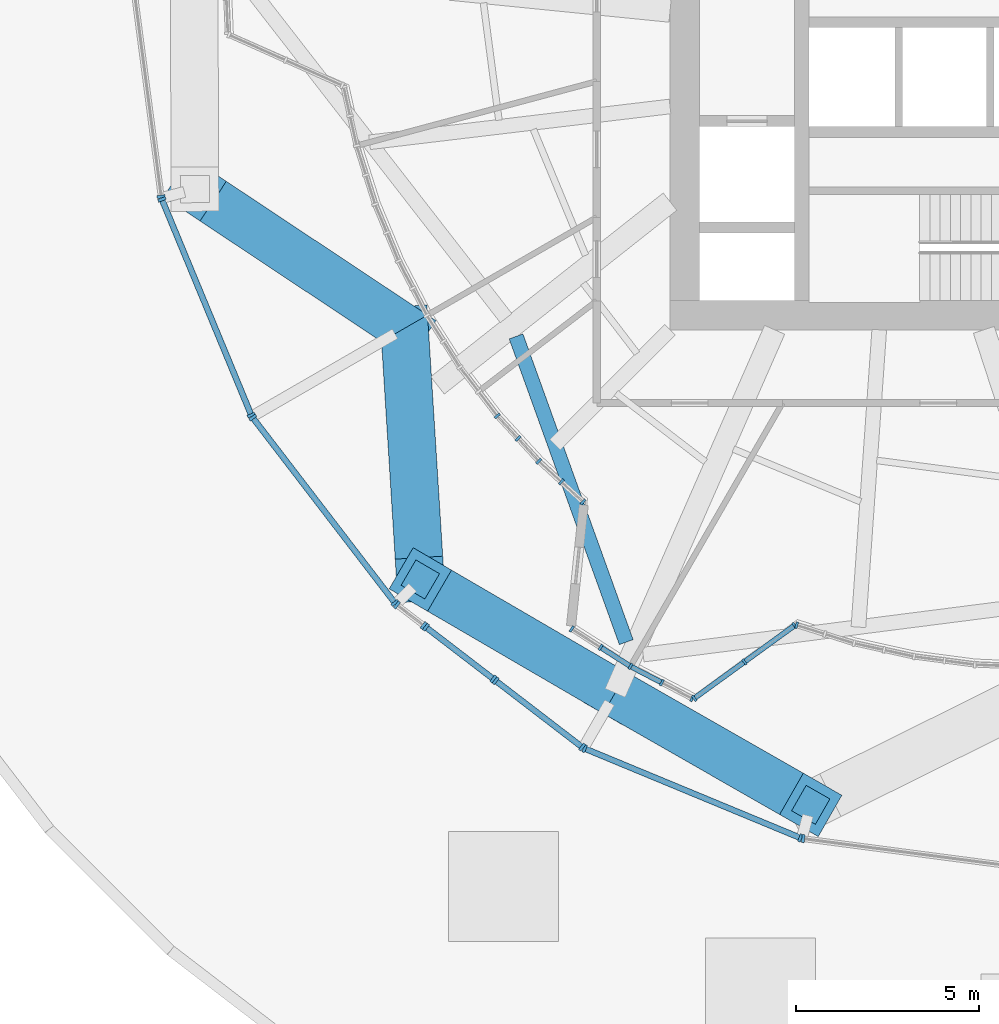
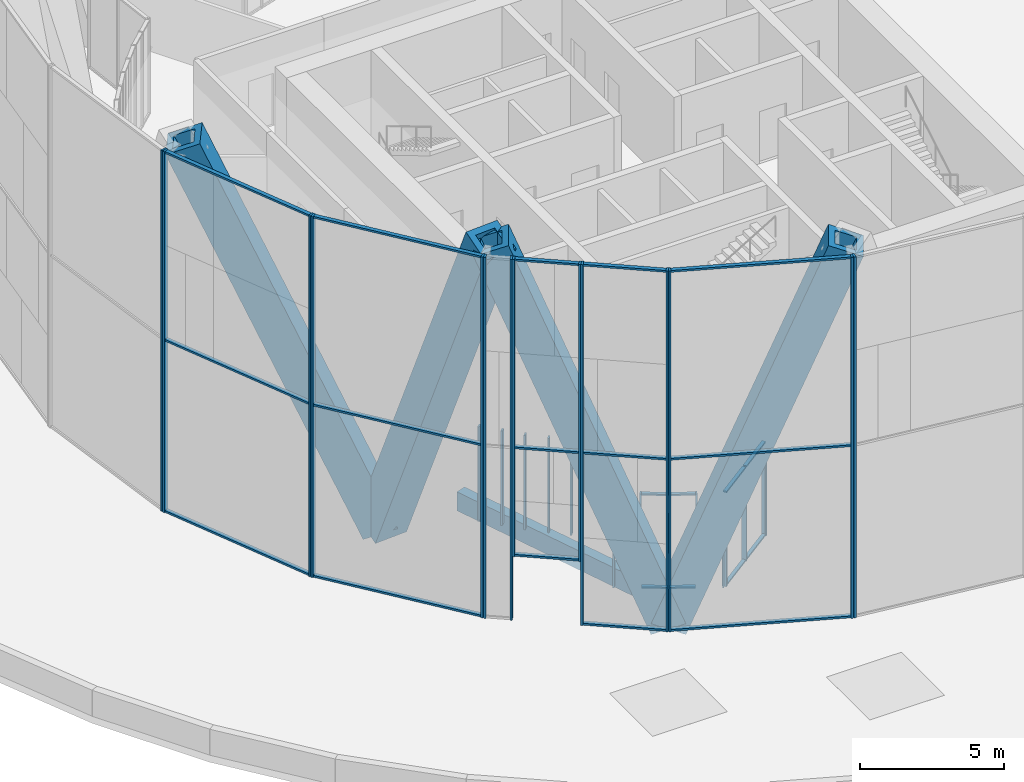
# One storey, part 1 of 27: 55 members, 1 beam, 15 elements without a shape of their own.
"""IFC4 building model written with IfcOpenShell, lengths in metres."""

from ifc_helpers import new_model, si_unit, direction, frame, origin, origin_2d, place, context, subcontext, project, spatial, rectangle, hollow_rectangle, extrude, material, material_profile, profile_set, type_object, element, aggregate, save


model = new_model("IFC4")

# Units and contexts
model_context = context("Model", 3, precision=1e-05, world=origin(), true_north=direction((0.0, 1.0)))
body_context = subcontext(model_context, "Body", "Model", "MODEL_VIEW")
ifc_project = project(units=[si_unit("LENGTHUNIT", "METRE"), si_unit("AREAUNIT", "SQUARE_METRE"), si_unit("VOLUMEUNIT", "CUBIC_METRE"), si_unit("PLANEANGLEUNIT", "RADIAN"), si_unit("MASSUNIT", "GRAM", prefix="KILO")], contexts=[model_context])

# Site, building, storey
site_placement = place(None, origin())
site = spatial("IfcSite", under=ifc_project, at=site_placement, CompositionType="ELEMENT")
building_placement = place(site_placement, origin())
building = spatial("IfcBuilding", under=site, at=building_placement, Name="Golbaran Civic Tower", CompositionType="ELEMENT")
storey_placement = place(building_placement, frame((0.0, 0.0, 21.0)))
storey = spatial("IfcBuildingStorey", under=building, at=storey_placement, Name="L04", CompositionType="ELEMENT", Elevation=21.0)

# Members
ifc_material_1 = material(Name="Steel S355", Category="steel")
ifc_material_profile_1 = material_profile(ifc_material_1, hollow_rectangle(XDim=1.300048828125, YDim=1.300048828125, WallThickness=0.25, at=origin_2d()), Name="BOX 1300x1300x250")
ifc_profile_set_1 = profile_set([ifc_material_profile_1], Name="Steel S355")
member_type_1 = type_object("IfcMemberType", Name="DIAGRID DIAGONAL BOX 1300x1300x250", PredefinedType="BRACE", material=ifc_profile_set_1)
member_1_placement = place(storey_placement, frame((-17.25, -9.959228515625, -0.7099609375), z_axis=(0.024773388533, -0.393906691689, 0.918816520021), x_axis=(0.998028176188, 0.06276750382, 0.0)))
element("IfcMember", 1, at=member_1_placement, inside=storey, type_object=member_type_1, Name="Diagonal D00-07R L04-L08", PredefinedType="BRACE", context=body_context, shape_type="SweptSolid", body=[
    extrude(hollow_rectangle(XDim=1.300048828125, YDim=1.300048828125, WallThickness=0.25, at=origin_2d()), origin(), (0.0, 0.0, 1.0), 17.413818359375),
])
member_2_placement = place(storey_placement, frame((-17.25, -9.959228515625, -0.7099609375), z_axis=(-0.328742402608, 0.218404518417, 0.918818752019), x_axis=(-0.55337148994, -0.832934567731, 0.0)))
element("IfcMember", 2, at=member_2_placement, inside=storey, type_object=member_type_1, Name="Diagonal D00-07L L04-L08", PredefinedType="BRACE", context=body_context, shape_type="SweptSolid", body=[
    extrude(hollow_rectangle(XDim=1.300048828125, YDim=1.300048828125, WallThickness=0.25, at=origin_2d()), origin(), (0.0, 0.0, 1.0), 17.41357421875),
])
member_3_placement = place(storey_placement, frame((-11.5, -19.918701171875, -0.7099609375), z_axis=(0.311722757157, -0.178255459424, 0.933302691444), x_axis=(0.496407983578, 0.868089346692, 0.0)))
element("IfcMember", 3, at=member_3_placement, inside=storey, type_object=member_type_1, Name="Diagonal D00-08R L04-L08", PredefinedType="BRACE", context=body_context, shape_type="SweptSolid", body=[
    extrude(hollow_rectangle(XDim=1.300048828125, YDim=1.300048828125, WallThickness=0.25, at=origin_2d()), origin(), (0.0, 0.0, 1.0), 17.143310546875),
])
member_4_placement = place(storey_placement, frame((-11.5, -19.918701171875, -0.7099609375), z_axis=(-0.310240999573, 0.180832692797, 0.933300626486), x_axis=(-0.503577568182, -0.86395001755, 0.0)))
element("IfcMember", 4, at=member_4_placement, inside=storey, type_object=member_type_1, Name="Diagonal D00-08L L04-L08", PredefinedType="BRACE", context=body_context, shape_type="SweptSolid", body=[
    extrude(hollow_rectangle(XDim=1.300048828125, YDim=1.300048828125, WallThickness=0.25, at=origin_2d()), origin(), (0.0, 0.0, 1.0), 17.1435546875),
])

# Beam
ifc_material_profile_2 = material_profile(ifc_material_1, hollow_rectangle(XDim=0.39990234375, YDim=0.800048828125, WallThickness=0.0400390625, at=origin_2d()), Name="BOX 800x400x40")
ifc_profile_set_2 = profile_set([ifc_material_profile_2], Name="Steel S355")
beam_type = type_object("IfcBeamType", Name="EDGE BEAM BOX 800x400x40", PredefinedType="BEAM", material=ifc_profile_set_2)
beam_placement = place(storey_placement, frame((-14.205078125, -10.18017578125, -0.60009765625), z_axis=(0.339060370544, -0.94076461728, 0.0), x_axis=(0.94076461728, 0.339060370544, 0.0)))
element("IfcBeam", 5, at=beam_placement, inside=storey, type_object=beam_type, Name="Edge beam 210.00 L04", PredefinedType="BEAM", context=body_context, shape_type="SweptSolid", body=[
    extrude(hollow_rectangle(XDim=0.39990234375, YDim=0.800048828125, WallThickness=0.0400390625, at=origin_2d()), origin(), (0.0, 0.0, 1.0), 8.875244140625),
])

# Curtain wall, member
ifc_material_2 = material(Name="Aluminium and glass", Category="aluminium")
curtain_wall_type_1 = type_object("IfcCurtainWallType", Name="INNER SKIN CURTAIN WALL", PredefinedType="NOTDEFINED", material=ifc_material_2)
curtain_wall_1_placement = place(storey_placement, origin())
curtain_wall_1 = element("IfcCurtainWall", 6, at=curtain_wall_1_placement, inside=storey, type_object=curtain_wall_type_1, Name="Inner skin L04 facet 44 CW1", ObjectType="INNER SKIN", PredefinedType="USERDEFINED")
ifc_material_3 = material(Name="Aluminium", Category="aluminium")
ifc_material_profile_3 = material_profile(ifc_material_3, rectangle(XDim=0.179931640625, YDim=0.06494140625, at=origin_2d()), Name="INNER SKIN CURTAIN WALL MULLION")
ifc_profile_set_3 = profile_set([ifc_material_profile_3], Name="Aluminium")
member_type_2 = type_object("IfcMemberType", Name="INNER SKIN CURTAIN WALL MULLION", PredefinedType="MULLION", material=ifc_profile_set_3)
member_5_placement = place(storey_placement, frame((-14.719482421875, -12.35107421875, 0.0), z_axis=(0.0, 0.0, 1.0), x_axis=(0.766044443186, 0.642787609606, 0.0)))
member_5 = element("IfcMember", 7, at=member_5_placement, type_object=member_type_2, Name="CW1 mullion 3", PredefinedType="MULLION", context=body_context, shape_type="SweptSolid", body=[
    extrude(rectangle(XDim=0.179931640625, YDim=0.06494140625, at=origin_2d()), origin(), (0.0, 0.0, 1.0), 4.0),
])
aggregate(curtain_wall_1, [member_5])

# Curtain wall, members
curtain_wall_2_placement = place(storey_placement, origin())
curtain_wall_2 = element("IfcCurtainWall", 8, at=curtain_wall_2_placement, inside=storey, type_object=curtain_wall_type_1, Name="Inner skin L04 facet 45 CW1", ObjectType="INNER SKIN", PredefinedType="USERDEFINED")
member_6_placement = place(storey_placement, frame((-14.1533203125, -12.968994140625, 0.0), z_axis=(0.0, 0.0, 1.0), x_axis=(0.737277336421, 0.67559020804, 0.0)))
member_6 = element("IfcMember", 9, at=member_6_placement, type_object=member_type_2, Name="CW1 mullion 2", PredefinedType="MULLION", context=body_context, shape_type="SweptSolid", body=[
    extrude(rectangle(XDim=0.179931640625, YDim=0.06494140625, at=origin_2d()), origin(), (0.0, 0.0, 1.0), 4.0),
])
member_7_placement = place(storey_placement, frame((-13.587158203125, -13.587158203125, 0.0), z_axis=(0.0, 0.0, 1.0), x_axis=(0.707106781137, 0.707106781236, 0.0)))
member_7 = element("IfcMember", 10, at=member_7_placement, type_object=member_type_2, Name="CW1 mullion 3", PredefinedType="MULLION", context=body_context, shape_type="SweptSolid", body=[
    extrude(rectangle(XDim=0.179931640625, YDim=0.06494140625, at=origin_2d()), origin(), (0.0, 0.0, 1.0), 4.0),
])
aggregate(curtain_wall_2, [member_6, member_7])

curtain_wall_3_placement = place(storey_placement, origin())
curtain_wall_3 = element("IfcCurtainWall", 11, at=curtain_wall_3_placement, inside=storey, type_object=curtain_wall_type_1, Name="Inner skin L04 facet 46 CW1", ObjectType="INNER SKIN", PredefinedType="USERDEFINED")
member_8_placement = place(storey_placement, frame((-12.968994140625, -14.1533203125, 0.0), z_axis=(0.0, 0.0, 1.0), x_axis=(0.67559020804, 0.737277336421, 0.0)))
member_8 = element("IfcMember", 12, at=member_8_placement, type_object=member_type_2, Name="CW1 mullion 2", PredefinedType="MULLION", context=body_context, shape_type="SweptSolid", body=[
    extrude(rectangle(XDim=0.179931640625, YDim=0.06494140625, at=origin_2d()), origin(), (0.0, 0.0, 1.0), 4.0),
])
member_9_placement = place(storey_placement, frame((-12.375244140625, -14.697509765625, 0.0), z_axis=(0.0, 0.0, 1.0), x_axis=(0.67559020804, 0.737277336421, 0.0)))
member_9 = element("IfcMember", 13, at=member_9_placement, type_object=member_type_2, Name="CW1 mullion 3", PredefinedType="MULLION", context=body_context, shape_type="SweptSolid", body=[
    extrude(rectangle(XDim=0.179931640625, YDim=0.06494140625, at=origin_2d()), origin(), (0.0, 0.0, 1.0), 4.0),
])
aggregate(curtain_wall_3, [member_8, member_9])

curtain_wall_4_placement = place(storey_placement, origin())
curtain_wall_4 = element("IfcCurtainWall", 14, at=curtain_wall_4_placement, inside=storey, type_object=curtain_wall_type_1, Name="Inner skin L04 facet 48 CW1", ObjectType="INNER SKIN", PredefinedType="USERDEFINED")
member_10_placement = place(storey_placement, frame((-12.68310546875, -18.169921875, 0.0), z_axis=(0.0, 0.0, 1.0), x_axis=(0.53729960845, 0.843391445747, 0.0)))
member_10 = element("IfcMember", 15, at=member_10_placement, type_object=member_type_2, Name="CW1 mullion 1", PredefinedType="MULLION", context=body_context, shape_type="SweptSolid", body=[
    extrude(rectangle(XDim=0.179931640625, YDim=0.06494140625, at=origin_2d()), origin(), (0.0, 0.0, 1.0), 4.0),
])
member_11_placement = place(storey_placement, frame((-11.895263671875, -18.671875, 0.0), z_axis=(0.0, 0.0, 1.0), x_axis=(0.53729960845, 0.843391445747, 0.0)))
member_11 = element("IfcMember", 16, at=member_11_placement, type_object=member_type_2, Name="CW1 mullion 2", PredefinedType="MULLION", context=body_context, shape_type="SweptSolid", body=[
    extrude(rectangle(XDim=0.179931640625, YDim=0.06494140625, at=origin_2d()), origin(), (0.0, 0.0, 1.0), 4.0),
])
member_12_placement = place(storey_placement, frame((-11.080078125, -19.191162109375, 0.0), z_axis=(0.0, 0.0, 1.0), x_axis=(0.50000000003, 0.866025403767, 0.0)))
member_12 = element("IfcMember", 17, at=member_12_placement, type_object=member_type_2, Name="CW1 mullion 3", PredefinedType="MULLION", context=body_context, shape_type="SweptSolid", body=[
    extrude(rectangle(XDim=0.179931640625, YDim=0.06494140625, at=origin_2d()), origin(), (0.0, 0.0, 1.0), 4.0),
])

curtain_wall_5_placement = place(storey_placement, origin())
curtain_wall_5 = element("IfcCurtainWall", 18, at=curtain_wall_5_placement, inside=storey, type_object=curtain_wall_type_1, Name="Inner skin L04 facet 49 CW1", ObjectType="INNER SKIN", PredefinedType="USERDEFINED")
member_13_placement = place(storey_placement, frame((-10.22265625, -19.637451171875, 0.0), z_axis=(0.0, 0.0, 1.0), x_axis=(0.461748613251, 0.88701083317, 0.0)))
member_13 = element("IfcMember", 19, at=member_13_placement, type_object=member_type_2, Name="CW1 mullion 2", PredefinedType="MULLION", context=body_context, shape_type="SweptSolid", body=[
    extrude(rectangle(XDim=0.179931640625, YDim=0.06494140625, at=origin_2d()), origin(), (0.0, 0.0, 1.0), 4.0),
])
member_14_placement = place(storey_placement, frame((-9.39404296875, -20.06884765625, 0.0), z_axis=(0.0, 0.0, 1.0), x_axis=(0.461748613251, 0.88701083317, 0.0)))
member_14 = element("IfcMember", 20, at=member_14_placement, type_object=member_type_2, Name="CW1 mullion 3", PredefinedType="MULLION", context=body_context, shape_type="SweptSolid", body=[
    extrude(rectangle(XDim=0.179931640625, YDim=0.06494140625, at=origin_2d()), origin(), (0.0, 0.0, 1.0), 4.0),
])

curtain_wall_6_placement = place(storey_placement, origin())
curtain_wall_6 = element("IfcCurtainWall", 21, at=curtain_wall_6_placement, inside=storey, type_object=curtain_wall_type_1, Name="Inner skin L04 facet 50 CW1", ObjectType="INNER SKIN", PredefinedType="USERDEFINED")
member_15_placement = place(storey_placement, frame((-9.3388671875, -20.064697265625, 0.0), z_axis=(0.0, 0.0, 1.0), x_axis=(-0.587431163679, 0.809274136458, 0.0)))
member_15 = element("IfcMember", 22, at=member_15_placement, type_object=member_type_2, Name="CW1 mullion 1", PredefinedType="MULLION", context=body_context, shape_type="SweptSolid", body=[
    extrude(rectangle(XDim=0.179931640625, YDim=0.06494140625, at=origin_2d()), origin(), (0.0, 0.0, 1.0), 4.0),
])
member_16_placement = place(storey_placement, frame((-7.968505859375, -19.070068359375, 0.0), z_axis=(0.0, 0.0, 1.0), x_axis=(-0.587431163679, 0.809274136458, 0.0)))
member_16 = element("IfcMember", 23, at=member_16_placement, type_object=member_type_2, Name="CW1 mullion 2", PredefinedType="MULLION", context=body_context, shape_type="SweptSolid", body=[
    extrude(rectangle(XDim=0.179931640625, YDim=0.06494140625, at=origin_2d()), origin(), (0.0, 0.0, 1.0), 4.0),
])
member_17_placement = place(storey_placement, frame((-6.59814453125, -18.0751953125, 0.0), z_axis=(0.0, 0.0, 1.0), x_axis=(-0.587431163679, 0.809274136458, 0.0)))
member_17 = element("IfcMember", 24, at=member_17_placement, type_object=member_type_2, Name="CW1 mullion 3", PredefinedType="MULLION", context=body_context, shape_type="SweptSolid", body=[
    extrude(rectangle(XDim=0.179931640625, YDim=0.06494140625, at=origin_2d()), origin(), (0.0, 0.0, 1.0), 4.0),
])

# Curtain wall, member
curtain_wall_7_placement = place(storey_placement, origin())
curtain_wall_7 = element("IfcCurtainWall", 25, at=curtain_wall_7_placement, inside=storey, type_object=curtain_wall_type_1, Name="Inner skin L04 facet 51 CW1", ObjectType="INNER SKIN", PredefinedType="USERDEFINED")
member_18_placement = place(storey_placement, frame((-6.541015625, -18.06591796875, 0.0), z_axis=(0.0, 0.0, 1.0), x_axis=(0.300705799704, 0.953716950685, 0.0)))
member_18 = element("IfcMember", 26, at=member_18_placement, type_object=member_type_2, Name="CW1 mullion 1", PredefinedType="MULLION", context=body_context, shape_type="SweptSolid", body=[
    extrude(rectangle(XDim=0.179931640625, YDim=0.06494140625, at=origin_2d()), origin(), (0.0, 0.0, 1.0), 4.0),
])
aggregate(curtain_wall_7, [member_18])

# Member
ifc_material_profile_4 = material_profile(ifc_material_3, rectangle(XDim=0.139892578125, YDim=0.06494140625, at=origin_2d()), Name="INNER SKIN CURTAIN WALL TRANSOM")
ifc_profile_set_4 = profile_set([ifc_material_profile_4], Name="Aluminium")
member_type_3 = type_object("IfcMemberType", Name="INNER SKIN CURTAIN WALL TRANSOM", PredefinedType="USERDEFINED", material=ifc_profile_set_4)
member_19_placement = place(storey_placement, frame((-11.867919921875, -18.689208984375, 0.032470703125), z_axis=(0.843449584092, -0.537208338632, 0.0), x_axis=(0.537208338632, 0.843449584092, 0.0)))
member_19 = element("IfcMember", 27, at=member_19_placement, type_object=member_type_3, Name="CW1 transom 2.1", ObjectType="TRANSOM", PredefinedType="USERDEFINED", context=body_context, shape_type="SweptSolid", body=[
    extrude(rectangle(XDim=0.139892578125, YDim=0.06494140625, at=origin_2d()), origin(), (0.0, 0.0, 1.0), 0.901611328125),
])

member_20_placement = place(storey_placement, frame((-11.867919921875, -18.689208984375, 3.967529296875), z_axis=(0.843449584092, -0.537208338632, 0.0), x_axis=(0.537208338632, 0.843449584092, 0.0)))
member_20 = element("IfcMember", 28, at=member_20_placement, type_object=member_type_3, Name="CW1 transom 2.2", ObjectType="TRANSOM", PredefinedType="USERDEFINED", context=body_context, shape_type="SweptSolid", body=[
    extrude(rectangle(XDim=0.139892578125, YDim=0.06494140625, at=origin_2d()), origin(), (0.0, 0.0, 1.0), 0.901611328125),
])

aggregate(curtain_wall_4, [member_10, member_11, member_12, member_19, member_20])

member_21_placement = place(storey_placement, frame((-11.05126953125, -19.2060546875, 0.032470703125), z_axis=(0.886941812776, -0.461881176006, 0.0), x_axis=(0.461881176006, 0.886941812776, 0.0)))
member_21 = element("IfcMember", 29, at=member_21_placement, type_object=member_type_3, Name="CW1 transom 1.1", ObjectType="TRANSOM", PredefinedType="USERDEFINED", context=body_context, shape_type="SweptSolid", body=[
    extrude(rectangle(XDim=0.139892578125, YDim=0.06494140625, at=origin_2d()), origin(), (0.0, 0.0, 1.0), 0.90185546875),
])

member_22_placement = place(storey_placement, frame((-11.05126953125, -19.2060546875, 3.967529296875), z_axis=(0.886941812776, -0.461881176006, 0.0), x_axis=(0.461881176006, 0.886941812776, 0.0)))
member_22 = element("IfcMember", 30, at=member_22_placement, type_object=member_type_3, Name="CW1 transom 1.2", ObjectType="TRANSOM", PredefinedType="USERDEFINED", context=body_context, shape_type="SweptSolid", body=[
    extrude(rectangle(XDim=0.139892578125, YDim=0.06494140625, at=origin_2d()), origin(), (0.0, 0.0, 1.0), 0.90185546875),
])

aggregate(curtain_wall_5, [member_13, member_14, member_21, member_22])

member_23_placement = place(storey_placement, frame((-9.3125, -20.045654296875, 0.032470703125), z_axis=(0.809241538487, 0.58747606963, 0.0), x_axis=(-0.58747606963, 0.809241538487, 0.0)))
member_23 = element("IfcMember", 31, at=member_23_placement, type_object=member_type_3, Name="CW1 transom 1.1", ObjectType="TRANSOM", PredefinedType="USERDEFINED", context=body_context, shape_type="SweptSolid", body=[
    extrude(rectangle(XDim=0.139892578125, YDim=0.06494140625, at=origin_2d()), origin(), (0.0, 0.0, 1.0), 1.628173828125),
])

member_24_placement = place(storey_placement, frame((-9.3125, -20.045654296875, 3.967529296875), z_axis=(0.809241538487, 0.58747606963, 0.0), x_axis=(-0.58747606963, 0.809241538487, 0.0)))
member_24 = element("IfcMember", 32, at=member_24_placement, type_object=member_type_3, Name="CW1 transom 1.2", ObjectType="TRANSOM", PredefinedType="USERDEFINED", context=body_context, shape_type="SweptSolid", body=[
    extrude(rectangle(XDim=0.139892578125, YDim=0.06494140625, at=origin_2d()), origin(), (0.0, 0.0, 1.0), 1.628173828125),
])

member_25_placement = place(storey_placement, frame((-7.9423828125, -19.05078125, 0.032470703125), z_axis=(0.809364550476, 0.587306584701, 0.0), x_axis=(-0.587306584701, 0.809364550476, 0.0)))
member_25 = element("IfcMember", 33, at=member_25_placement, type_object=member_type_3, Name="CW1 transom 2.1", ObjectType="TRANSOM", PredefinedType="USERDEFINED", context=body_context, shape_type="SweptSolid", body=[
    extrude(rectangle(XDim=0.139892578125, YDim=0.06494140625, at=origin_2d()), origin(), (0.0, 0.0, 1.0), 1.628173828125),
])

member_26_placement = place(storey_placement, frame((-7.9423828125, -19.05078125, 3.967529296875), z_axis=(0.809364550476, 0.587306584701, 0.0), x_axis=(-0.587306584701, 0.809364550476, 0.0)))
member_26 = element("IfcMember", 34, at=member_26_placement, type_object=member_type_3, Name="CW1 transom 2.2", ObjectType="TRANSOM", PredefinedType="USERDEFINED", context=body_context, shape_type="SweptSolid", body=[
    extrude(rectangle(XDim=0.139892578125, YDim=0.06494140625, at=origin_2d()), origin(), (0.0, 0.0, 1.0), 1.628173828125),
])

aggregate(curtain_wall_6, [member_15, member_16, member_17, member_23, member_24, member_25, member_26])

# Curtain wall, member
curtain_wall_type_2 = type_object("IfcCurtainWallType", Name="OUTER SKIN TERRACOTTA SCREEN", PredefinedType="NOTDEFINED", material=ifc_material_2)
curtain_wall_8_placement = place(storey_placement, origin())
curtain_wall_8 = element("IfcCurtainWall", 35, at=curtain_wall_8_placement, inside=storey, type_object=curtain_wall_type_2, Name="Outer skin L04 facet 13 CW3", ObjectType="OUTER SKIN", PredefinedType="USERDEFINED")
ifc_material_profile_5 = material_profile(ifc_material_3, rectangle(XDim=0.219970703125, YDim=0.080078125, at=origin_2d()), Name="OUTER SKIN TERRACOTTA SCREEN MULLION")
ifc_profile_set_5 = profile_set([ifc_material_profile_5], Name="Aluminium")
member_type_4 = type_object("IfcMemberType", Name="OUTER SKIN TERRACOTTA SCREEN MULLION", PredefinedType="MULLION", material=ifc_profile_set_5)
member_27_placement = place(storey_placement, frame((-23.8974609375, -6.3623046875, 0.0), z_axis=(0.0, 0.0, 1.0), x_axis=(0.991444861369, 0.130526192255, 0.0)))
member_27 = element("IfcMember", 36, at=member_27_placement, type_object=member_type_4, Name="CW3 mullion 2", PredefinedType="MULLION", context=body_context, shape_type="SweptSolid", body=[
    extrude(rectangle(XDim=0.219970703125, YDim=0.080078125, at=origin_2d()), origin(), (0.0, 0.0, 1.0), 15.2900390625),
])
aggregate(curtain_wall_8, [member_27])

# Curtain wall, members
curtain_wall_9_placement = place(storey_placement, origin())
curtain_wall_9 = element("IfcCurtainWall", 37, at=curtain_wall_9_placement, inside=storey, type_object=curtain_wall_type_2, Name="Outer skin L04 facet 14 CW3", ObjectType="OUTER SKIN", PredefinedType="USERDEFINED")
member_28_placement = place(storey_placement, frame((-23.876953125, -6.43896484375, 0.0), z_axis=(0.0, 0.0, 1.0), x_axis=(0.923879532538, 0.382683432301, 0.0)))
member_28 = element("IfcMember", 38, at=member_28_placement, type_object=member_type_4, Name="CW3 mullion 1", PredefinedType="MULLION", context=body_context, shape_type="SweptSolid", body=[
    extrude(rectangle(XDim=0.219970703125, YDim=0.080078125, at=origin_2d()), origin(), (0.0, 0.0, 1.0), 15.2900390625),
])
member_29_placement = place(storey_placement, frame((-21.4365234375, -12.33056640625, 0.0), z_axis=(0.0, 0.0, 1.0), x_axis=(0.923879532538, 0.382683432301, 0.0)))
member_29 = element("IfcMember", 39, at=member_29_placement, type_object=member_type_4, Name="CW3 mullion 2", PredefinedType="MULLION", context=body_context, shape_type="SweptSolid", body=[
    extrude(rectangle(XDim=0.219970703125, YDim=0.080078125, at=origin_2d()), origin(), (0.0, 0.0, 1.0), 15.2900390625),
])

curtain_wall_10_placement = place(storey_placement, origin())
curtain_wall_10 = element("IfcCurtainWall", 40, at=curtain_wall_10_placement, inside=storey, type_object=curtain_wall_type_2, Name="Outer skin L04 facet 15 CW3", ObjectType="OUTER SKIN", PredefinedType="USERDEFINED")
member_30_placement = place(storey_placement, frame((-21.396728515625, -12.399169921875, 0.0), z_axis=(0.0, 0.0, 1.0), x_axis=(0.793353340312, 0.608761428981, 0.0)))
member_30 = element("IfcMember", 41, at=member_30_placement, type_object=member_type_4, Name="CW3 mullion 1", PredefinedType="MULLION", context=body_context, shape_type="SweptSolid", body=[
    extrude(rectangle(XDim=0.219970703125, YDim=0.080078125, at=origin_2d()), origin(), (0.0, 0.0, 1.0), 15.2900390625),
])
member_31_placement = place(storey_placement, frame((-17.5146484375, -17.45849609375, 0.0), z_axis=(0.0, 0.0, 1.0), x_axis=(0.793353340312, 0.608761428981, 0.0)))
member_31 = element("IfcMember", 42, at=member_31_placement, type_object=member_type_4, Name="CW3 mullion 2", PredefinedType="MULLION", context=body_context, shape_type="SweptSolid", body=[
    extrude(rectangle(XDim=0.219970703125, YDim=0.080078125, at=origin_2d()), origin(), (0.0, 0.0, 1.0), 15.2900390625),
])

curtain_wall_11_placement = place(storey_placement, origin())
curtain_wall_11 = element("IfcCurtainWall", 43, at=curtain_wall_11_placement, inside=storey, type_object=curtain_wall_type_2, Name="Outer skin L04 facet 16 left of the opening CW3", ObjectType="OUTER SKIN", PredefinedType="USERDEFINED")
member_32_placement = place(storey_placement, frame((-17.45849609375, -17.5146484375, 0.0), z_axis=(0.0, 0.0, 1.0), x_axis=(0.608761428663, 0.793353340557, 0.0)))
member_32 = element("IfcMember", 44, at=member_32_placement, type_object=member_type_4, Name="CW3 mullion 1", PredefinedType="MULLION", context=body_context, shape_type="SweptSolid", body=[
    extrude(rectangle(XDim=0.219970703125, YDim=0.080078125, at=origin_2d()), origin(), (0.0, 0.0, 1.0), 15.2900390625),
])
member_33_placement = place(storey_placement, frame((-16.728759765625, -18.07470703125, 0.0), z_axis=(0.0, 0.0, 1.0), x_axis=(0.608761428663, 0.793353340557, 0.0)))
member_33 = element("IfcMember", 45, at=member_33_placement, type_object=member_type_4, Name="CW3 mullion 2", PredefinedType="MULLION", context=body_context, shape_type="SweptSolid", body=[
    extrude(rectangle(XDim=0.219970703125, YDim=0.080078125, at=origin_2d()), origin(), (0.0, 0.0, 1.0), 15.2900390625),
])
aggregate(curtain_wall_11, [member_32, member_33])

curtain_wall_12_placement = place(storey_placement, origin())
curtain_wall_12 = element("IfcCurtainWall", 46, at=curtain_wall_12_placement, inside=storey, type_object=curtain_wall_type_2, Name="Outer skin L04 facet 16 right of the opening CW3", ObjectType="OUTER SKIN", PredefinedType="USERDEFINED")
member_34_placement = place(storey_placement, frame((-14.76123046875, -19.58447265625, 0.0), z_axis=(0.0, 0.0, 1.0), x_axis=(0.608761429092, 0.793353340227, 0.0)))
member_34 = element("IfcMember", 47, at=member_34_placement, type_object=member_type_4, Name="CW3 mullion 1", PredefinedType="MULLION", context=body_context, shape_type="SweptSolid", body=[
    extrude(rectangle(XDim=0.219970703125, YDim=0.080078125, at=origin_2d()), origin(), (0.0, 0.0, 1.0), 15.2900390625),
])
member_35_placement = place(storey_placement, frame((-12.399169921875, -21.396728515625, 0.0), z_axis=(0.0, 0.0, 1.0), x_axis=(0.608761429092, 0.793353340227, 0.0)))
member_35 = element("IfcMember", 48, at=member_35_placement, type_object=member_type_4, Name="CW3 mullion 2", PredefinedType="MULLION", context=body_context, shape_type="SweptSolid", body=[
    extrude(rectangle(XDim=0.219970703125, YDim=0.080078125, at=origin_2d()), origin(), (0.0, 0.0, 1.0), 15.2900390625),
])

curtain_wall_13_placement = place(storey_placement, origin())
curtain_wall_13 = element("IfcCurtainWall", 49, at=curtain_wall_13_placement, inside=storey, type_object=curtain_wall_type_2, Name="Outer skin L04 facet 16 over the opening CW3", ObjectType="OUTER SKIN", PredefinedType="USERDEFINED")
member_36_placement = place(storey_placement, frame((-16.665283203125, -18.123291015625, 2.699951171875), z_axis=(0.0, 0.0, 1.0), x_axis=(0.608761428981, 0.793353340312, 0.0)))
member_36 = element("IfcMember", 50, at=member_36_placement, type_object=member_type_4, Name="CW3 mullion 1", PredefinedType="MULLION", context=body_context, shape_type="SweptSolid", body=[
    extrude(rectangle(XDim=0.219970703125, YDim=0.080078125, at=origin_2d()), origin(), (0.0, 0.0, 1.0), 12.590087890625),
])
member_37_placement = place(storey_placement, frame((-14.82470703125, -19.53564453125, 2.699951171875), z_axis=(0.0, 0.0, 1.0), x_axis=(0.608761428981, 0.793353340312, 0.0)))
member_37 = element("IfcMember", 51, at=member_37_placement, type_object=member_type_4, Name="CW3 mullion 2", PredefinedType="MULLION", context=body_context, shape_type="SweptSolid", body=[
    extrude(rectangle(XDim=0.219970703125, YDim=0.080078125, at=origin_2d()), origin(), (0.0, 0.0, 1.0), 12.590087890625),
])

curtain_wall_14_placement = place(storey_placement, origin())
curtain_wall_14 = element("IfcCurtainWall", 52, at=curtain_wall_14_placement, inside=storey, type_object=curtain_wall_type_2, Name="Outer skin L04 facet 17 CW3", ObjectType="OUTER SKIN", PredefinedType="USERDEFINED")
member_38_placement = place(storey_placement, frame((-12.33056640625, -21.4365234375, 0.0), z_axis=(0.0, 0.0, 1.0), x_axis=(0.382683432301, 0.923879532538, 0.0)))
member_38 = element("IfcMember", 53, at=member_38_placement, type_object=member_type_4, Name="CW3 mullion 1", PredefinedType="MULLION", context=body_context, shape_type="SweptSolid", body=[
    extrude(rectangle(XDim=0.219970703125, YDim=0.080078125, at=origin_2d()), origin(), (0.0, 0.0, 1.0), 15.2900390625),
])
member_39_placement = place(storey_placement, frame((-6.43896484375, -23.876953125, 0.0), z_axis=(0.0, 0.0, 1.0), x_axis=(0.382683432301, 0.923879532538, 0.0)))
member_39 = element("IfcMember", 54, at=member_39_placement, type_object=member_type_4, Name="CW3 mullion 2", PredefinedType="MULLION", context=body_context, shape_type="SweptSolid", body=[
    extrude(rectangle(XDim=0.219970703125, YDim=0.080078125, at=origin_2d()), origin(), (0.0, 0.0, 1.0), 15.2900390625),
])

# Curtain wall, member
curtain_wall_15_placement = place(storey_placement, origin())
curtain_wall_15 = element("IfcCurtainWall", 55, at=curtain_wall_15_placement, inside=storey, type_object=curtain_wall_type_2, Name="Outer skin L04 facet 18 CW3", ObjectType="OUTER SKIN", PredefinedType="USERDEFINED")
member_40_placement = place(storey_placement, frame((-6.3623046875, -23.8974609375, 0.0), z_axis=(0.0, 0.0, 1.0), x_axis=(0.130526192255, 0.991444861369, 0.0)))
member_40 = element("IfcMember", 56, at=member_40_placement, type_object=member_type_4, Name="CW3 mullion 1", PredefinedType="MULLION", context=body_context, shape_type="SweptSolid", body=[
    extrude(rectangle(XDim=0.219970703125, YDim=0.080078125, at=origin_2d()), origin(), (0.0, 0.0, 1.0), 15.2900390625),
])
aggregate(curtain_wall_15, [member_40])

# Member
ifc_material_profile_6 = material_profile(ifc_material_3, rectangle(XDim=0.159912109375, YDim=0.080078125, at=origin_2d()), Name="OUTER SKIN TERRACOTTA SCREEN TRANSOM")
ifc_profile_set_6 = profile_set([ifc_material_profile_6], Name="Aluminium")
member_type_5 = type_object("IfcMemberType", Name="OUTER SKIN TERRACOTTA SCREEN TRANSOM", PredefinedType="USERDEFINED", material=ifc_profile_set_6)
member_41_placement = place(storey_placement, frame((-23.861572265625, -6.475830078125, 0.0400390625), z_axis=(0.38269305572, -0.923875546328, 0.0), x_axis=(0.923875546328, 0.38269305572, 0.0)))
member_41 = element("IfcMember", 57, at=member_41_placement, type_object=member_type_5, Name="CW3 transom 1.1", ObjectType="TRANSOM", PredefinedType="USERDEFINED", context=body_context, shape_type="SweptSolid", body=[
    extrude(rectangle(XDim=0.159912109375, YDim=0.080078125, at=origin_2d()), origin(), (0.0, 0.0, 1.0), 6.29736328125),
])

member_42_placement = place(storey_placement, frame((-23.861572265625, -6.475830078125, 7.2900390625), z_axis=(0.38269305572, -0.923875546328, 0.0), x_axis=(0.923875546328, 0.38269305572, 0.0)))
member_42 = element("IfcMember", 58, at=member_42_placement, type_object=member_type_5, Name="CW3 transom 1.2", ObjectType="TRANSOM", PredefinedType="USERDEFINED", context=body_context, shape_type="SweptSolid", body=[
    extrude(rectangle(XDim=0.159912109375, YDim=0.080078125, at=origin_2d()), origin(), (0.0, 0.0, 1.0), 6.29736328125),
])

member_43_placement = place(storey_placement, frame((-23.861572265625, -6.475830078125, 15.25), z_axis=(0.38269305572, -0.923875546328, 0.0), x_axis=(0.923875546328, 0.38269305572, 0.0)))
member_43 = element("IfcMember", 59, at=member_43_placement, type_object=member_type_5, Name="CW3 transom 1.3", ObjectType="TRANSOM", PredefinedType="USERDEFINED", context=body_context, shape_type="SweptSolid", body=[
    extrude(rectangle(XDim=0.159912109375, YDim=0.080078125, at=origin_2d()), origin(), (0.0, 0.0, 1.0), 6.29736328125),
])

aggregate(curtain_wall_9, [member_28, member_29, member_41, member_42, member_43])

member_44_placement = place(storey_placement, frame((-21.37255859375, -12.430908203125, 0.0400390625), z_axis=(0.608766012827, -0.793349822983, 0.0), x_axis=(0.793349822983, 0.608766012827, 0.0)))
member_44 = element("IfcMember", 60, at=member_44_placement, type_object=member_type_5, Name="CW3 transom 1.1", ObjectType="TRANSOM", PredefinedType="USERDEFINED", context=body_context, shape_type="SweptSolid", body=[
    extrude(rectangle(XDim=0.159912109375, YDim=0.080078125, at=origin_2d()), origin(), (0.0, 0.0, 1.0), 6.297119140625),
])

member_45_placement = place(storey_placement, frame((-21.37255859375, -12.430908203125, 7.2900390625), z_axis=(0.608766012827, -0.793349822983, 0.0), x_axis=(0.793349822983, 0.608766012827, 0.0)))
member_45 = element("IfcMember", 61, at=member_45_placement, type_object=member_type_5, Name="CW3 transom 1.2", ObjectType="TRANSOM", PredefinedType="USERDEFINED", context=body_context, shape_type="SweptSolid", body=[
    extrude(rectangle(XDim=0.159912109375, YDim=0.080078125, at=origin_2d()), origin(), (0.0, 0.0, 1.0), 6.297119140625),
])

member_46_placement = place(storey_placement, frame((-21.37255859375, -12.430908203125, 15.25), z_axis=(0.608766012827, -0.793349822983, 0.0), x_axis=(0.793349822983, 0.608766012827, 0.0)))
member_46 = element("IfcMember", 62, at=member_46_placement, type_object=member_type_5, Name="CW3 transom 1.3", ObjectType="TRANSOM", PredefinedType="USERDEFINED", context=body_context, shape_type="SweptSolid", body=[
    extrude(rectangle(XDim=0.159912109375, YDim=0.080078125, at=origin_2d()), origin(), (0.0, 0.0, 1.0), 6.297119140625),
])

aggregate(curtain_wall_10, [member_30, member_31, member_44, member_45, member_46])

member_47_placement = place(storey_placement, frame((-14.7294921875, -19.60888671875, 0.0400390625), z_axis=(0.793368951292, -0.608741083816, 0.0), x_axis=(0.608741083816, 0.793368951292, 0.0)))
member_47 = element("IfcMember", 63, at=member_47_placement, type_object=member_type_5, Name="CW3 transom 1.1", ObjectType="TRANSOM", PredefinedType="USERDEFINED", context=body_context, shape_type="SweptSolid", body=[
    extrude(rectangle(XDim=0.159912109375, YDim=0.080078125, at=origin_2d()), origin(), (0.0, 0.0, 1.0), 2.897216796875),
])

member_48_placement = place(storey_placement, frame((-14.7294921875, -19.60888671875, 7.2900390625), z_axis=(0.793368951292, -0.608741083816, 0.0), x_axis=(0.608741083816, 0.793368951292, 0.0)))
member_48 = element("IfcMember", 64, at=member_48_placement, type_object=member_type_5, Name="CW3 transom 1.2", ObjectType="TRANSOM", PredefinedType="USERDEFINED", context=body_context, shape_type="SweptSolid", body=[
    extrude(rectangle(XDim=0.159912109375, YDim=0.080078125, at=origin_2d()), origin(), (0.0, 0.0, 1.0), 2.897216796875),
])

member_49_placement = place(storey_placement, frame((-14.7294921875, -19.60888671875, 15.25), z_axis=(0.793368951292, -0.608741083816, 0.0), x_axis=(0.608741083816, 0.793368951292, 0.0)))
member_49 = element("IfcMember", 65, at=member_49_placement, type_object=member_type_5, Name="CW3 transom 1.3", ObjectType="TRANSOM", PredefinedType="USERDEFINED", context=body_context, shape_type="SweptSolid", body=[
    extrude(rectangle(XDim=0.159912109375, YDim=0.080078125, at=origin_2d()), origin(), (0.0, 0.0, 1.0), 2.897216796875),
])

aggregate(curtain_wall_12, [member_34, member_35, member_47, member_48, member_49])

member_50_placement = place(storey_placement, frame((-16.633544921875, -18.147705078125, 2.739990234375), z_axis=(0.793320343422, -0.608804428954, 0.0), x_axis=(0.608804428954, 0.793320343422, 0.0)))
member_50 = element("IfcMember", 66, at=member_50_placement, type_object=member_type_5, Name="CW3 transom 1.1", ObjectType="TRANSOM", PredefinedType="USERDEFINED", context=body_context, shape_type="SweptSolid", body=[
    extrude(rectangle(XDim=0.159912109375, YDim=0.080078125, at=origin_2d()), origin(), (0.0, 0.0, 1.0), 2.239990234375),
])

member_51_placement = place(storey_placement, frame((-16.633544921875, -18.147705078125, 7.2900390625), z_axis=(0.793320343422, -0.608804428954, 0.0), x_axis=(0.608804428954, 0.793320343422, 0.0)))
member_51 = element("IfcMember", 67, at=member_51_placement, type_object=member_type_5, Name="CW3 transom 1.2", ObjectType="TRANSOM", PredefinedType="USERDEFINED", context=body_context, shape_type="SweptSolid", body=[
    extrude(rectangle(XDim=0.159912109375, YDim=0.080078125, at=origin_2d()), origin(), (0.0, 0.0, 1.0), 2.239990234375),
])

member_52_placement = place(storey_placement, frame((-16.633544921875, -18.147705078125, 15.25), z_axis=(0.793320343422, -0.608804428954, 0.0), x_axis=(0.608804428954, 0.793320343422, 0.0)))
member_52 = element("IfcMember", 68, at=member_52_placement, type_object=member_type_5, Name="CW3 transom 1.3", ObjectType="TRANSOM", PredefinedType="USERDEFINED", context=body_context, shape_type="SweptSolid", body=[
    extrude(rectangle(XDim=0.159912109375, YDim=0.080078125, at=origin_2d()), origin(), (0.0, 0.0, 1.0), 2.239990234375),
])

aggregate(curtain_wall_13, [member_36, member_37, member_50, member_51, member_52])

member_53_placement = place(storey_placement, frame((-12.293701171875, -21.45166015625, 0.0400390625), z_axis=(0.923875546328, -0.38269305572, 0.0), x_axis=(0.38269305572, 0.923875546328, 0.0)))
member_53 = element("IfcMember", 69, at=member_53_placement, type_object=member_type_5, Name="CW3 transom 1.1", ObjectType="TRANSOM", PredefinedType="USERDEFINED", context=body_context, shape_type="SweptSolid", body=[
    extrude(rectangle(XDim=0.159912109375, YDim=0.080078125, at=origin_2d()), origin(), (0.0, 0.0, 1.0), 6.29736328125),
])

member_54_placement = place(storey_placement, frame((-12.293701171875, -21.45166015625, 7.2900390625), z_axis=(0.923875546328, -0.38269305572, 0.0), x_axis=(0.38269305572, 0.923875546328, 0.0)))
member_54 = element("IfcMember", 70, at=member_54_placement, type_object=member_type_5, Name="CW3 transom 1.2", ObjectType="TRANSOM", PredefinedType="USERDEFINED", context=body_context, shape_type="SweptSolid", body=[
    extrude(rectangle(XDim=0.159912109375, YDim=0.080078125, at=origin_2d()), origin(), (0.0, 0.0, 1.0), 6.29736328125),
])

member_55_placement = place(storey_placement, frame((-12.293701171875, -21.45166015625, 15.25), z_axis=(0.923875546328, -0.38269305572, 0.0), x_axis=(0.38269305572, 0.923875546328, 0.0)))
member_55 = element("IfcMember", 71, at=member_55_placement, type_object=member_type_5, Name="CW3 transom 1.3", ObjectType="TRANSOM", PredefinedType="USERDEFINED", context=body_context, shape_type="SweptSolid", body=[
    extrude(rectangle(XDim=0.159912109375, YDim=0.080078125, at=origin_2d()), origin(), (0.0, 0.0, 1.0), 6.29736328125),
])

aggregate(curtain_wall_14, [member_38, member_39, member_53, member_54, member_55])

save(model, "model.ifc")
